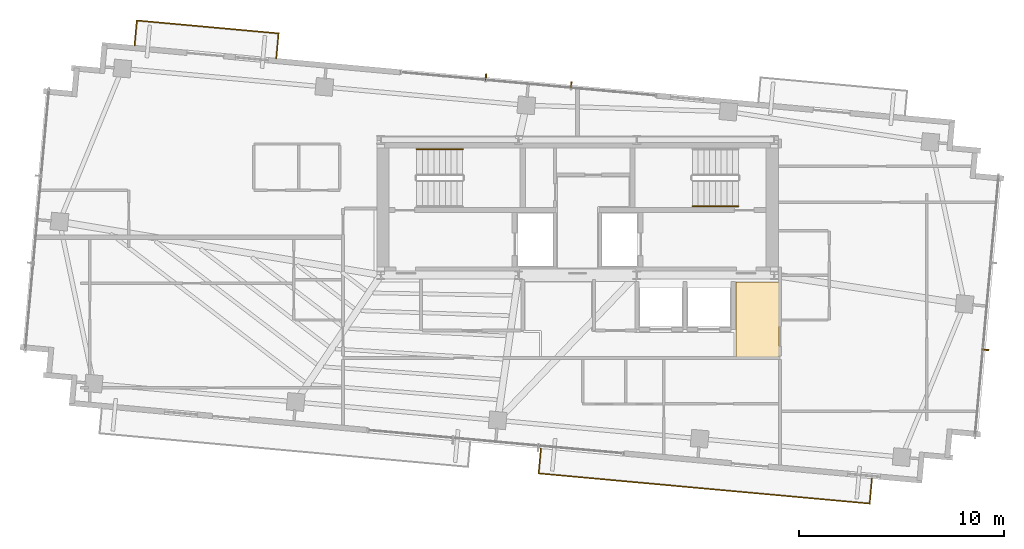
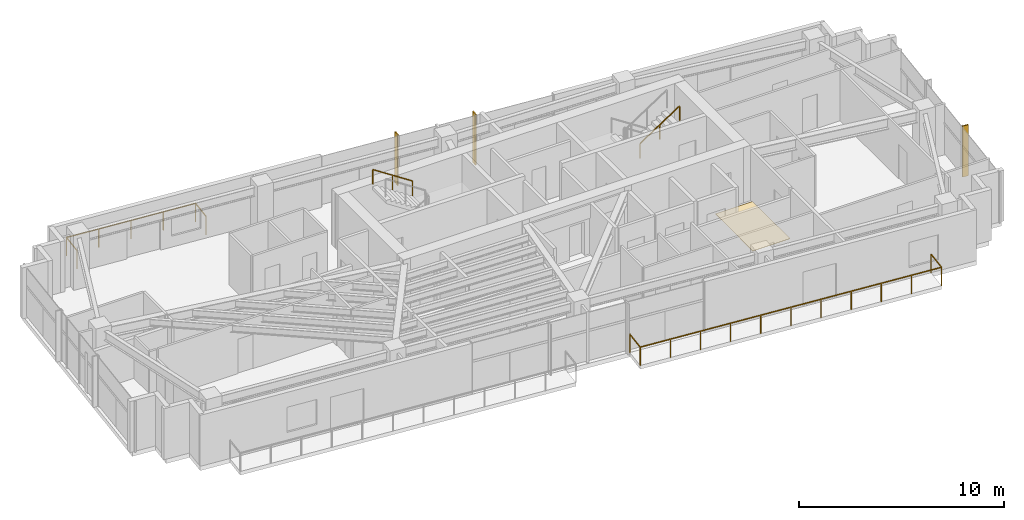
# One storey, part 21 of 22: 4 railings, 3 shading devices, 1 covering.
"""IFC4 building model written with IfcOpenShell, lengths in metres."""

from ifc_helpers import new_model, si_unit, direction, frame, origin, origin_2d, place, context, subcontext, project, spatial, polyline, rectangle, outline, extrude, source, transform, mapped, material, layer, layer_set, type_object, type_shapes, element, save


model = new_model("IFC4")

# Units and contexts
model_context = context("Model", 3, precision=1e-05, world=origin(), true_north=direction((0.0, 1.0)))
body_context = subcontext(model_context, "Body", "Model", "MODEL_VIEW")
ifc_project = project(units=[si_unit("LENGTHUNIT", "METRE"), si_unit("AREAUNIT", "SQUARE_METRE"), si_unit("VOLUMEUNIT", "CUBIC_METRE"), si_unit("PLANEANGLEUNIT", "RADIAN"), si_unit("MASSUNIT", "GRAM", prefix="KILO")], contexts=[model_context])

# Site, building, storey
site_placement = place(None, origin())
site = spatial("IfcSite", under=ifc_project, at=site_placement, CompositionType="ELEMENT")
building_placement = place(site_placement, origin())
building = spatial("IfcBuilding", under=site, at=building_placement, Name="Astriad Promenade Condominiums", CompositionType="ELEMENT")
storey_placement = place(building_placement, frame((0.0, 0.0, 252.89990234375)))
storey = spatial("IfcBuildingStorey", under=building, at=storey_placement, Name="L73", CompositionType="ELEMENT", Elevation=252.89990234375)

# Covering
ifc_material_1 = material(Name="Polished Lakefront Terrazzo Flooring")
ifc_layer = layer(ifc_material_1, 0.02001953125)
ifc_layer_set = layer_set([ifc_layer], Name="Polished Lakefront Terrazzo Flooring")
covering_type = type_object("IfcCoveringType", Name="COV-FLOR-TERRAZZO-20", PredefinedType="FLOORING", material=ifc_layer_set)
covering_placement = place(storey_placement, origin())
element("IfcCovering", 1, at=covering_placement, inside=storey, type_object=covering_type, Name="FLR-L73-COR-2", PredefinedType="FLOORING", context=body_context, shape_type="SweptSolid", body=[
    extrude(outline(polyline([(43.72998046875, 14.62353515625), (43.73095703125, 14.62451171875), (43.7333984375, 14.627685546875), (43.7353515625, 14.631103515625), (43.737060546875, 14.634765625), (43.73828125, 14.638427734375), (43.7392578125, 14.64208984375), (43.73974609375, 14.64599609375), (43.739990234375, 14.64990234375), (43.739990234375, 17.06005859375), (45.840087890625, 17.06005859375), (45.840087890625, 13.39990234375), (43.72998046875, 13.39990234375), (43.72998046875, 14.62353515625)])), origin(), (0.0, 0.0, 1.0), 0.02001953125),
])

# Shading devices
ifc_material_2 = material(Name="Anodised aluminium 6063-T6 Black Fin", Category="aluminium")
shading_device_type = type_object("IfcShadingDeviceType", Name="FIN-BLACK-260", PredefinedType="USERDEFINED", material=ifc_material_2)
shared_shape_1 = source(origin(), body_context, "Body", "SweptSolid", [
    extrude(rectangle(XDim=0.06494140625, YDim=0.320068359375, at=origin_2d()), origin(), (0.0, 0.0, 1.0), 3.0400390625),
])
type_shapes(shading_device_type, [shared_shape_1])
for number, where, z_axis, x_axis, name in (
    (2, (31.526123046875, 27.062744140625, 0.0), (0.0, 0.0, 1.0), (0.995884398616, -0.090632580198, 0.0), "CW-L73-N-FIN-01"),
    (3, (35.68896484375, 26.683837890625, 0.0), (0.0, 0.0, 1.0), (0.995884398616, -0.090632580198, 0.0), "CW-L73-N-FIN-02"),
    (4, (55.920166015625, 13.753662109375, 0.0), (0.0, 0.0, 1.0), (-0.090632580198, -0.995884398616, 0.0), "CW-L73-E-FIN-02"),
):
    element("IfcShadingDevice", number, at=place(storey_placement, frame(where, z_axis=z_axis, x_axis=x_axis)), inside=storey, type_object=shading_device_type, Name=name, ObjectType="FIN", PredefinedType="USERDEFINED", context=body_context, shape_type="MappedRepresentation", body=[
        mapped(shared_shape_1, transform((0.0, 0.0, 0.0), scale=1.0)),
    ])

# Railings
ifc_material_3 = material(Name="Laminated Glass and Stainless Steel Balustrade", Category="steel")
railing_type_1 = type_object("IfcRailingType", Name="GRD-BALC-1120", PredefinedType="BALUSTRADE", material=ifc_material_3)
shared_shape_2 = source(origin(), body_context, "Body", "SweptSolid", [
    extrude(rectangle(XDim=0.048095703125, YDim=0.048095703125, at=origin_2d()), frame((0.0, 0.0, 1.09619140625), z_axis=(-0.090643994769, -0.995883359743, 0.0), x_axis=(0.995883359743, -0.090643994769, 0.0)), (0.0, 0.0, 1.0), 1.22021484375),
    extrude(rectangle(XDim=0.048095703125, YDim=0.048095703125, at=origin_2d()), frame((-0.110595703125, -1.215087890625, 1.09619140625), z_axis=(0.995885555502, -0.09061986726, 0.0), x_axis=(0.09061986726, 0.995885555502, 0.0)), (0.0, 0.0, 1.0), 16.223876953125),
    extrude(rectangle(XDim=0.048095703125, YDim=0.048095703125, at=origin_2d()), frame((16.046630859375, -2.685302734375, 1.09619140625), z_axis=(0.09066206129, 0.995881715186, 0.0), x_axis=(-0.995881715186, 0.09066206129, 0.0)), (0.0, 0.0, 1.0), 1.219970703125),
    extrude(rectangle(XDim=0.0419921875, YDim=0.0419921875, at=origin_2d()), origin(), (0.0, 0.0, 1.0), 1.072021484375),
    extrude(rectangle(XDim=0.0419921875, YDim=0.0419921875, at=origin_2d()), frame((-0.110595703125, -1.215087890625, 0.0)), (0.0, 0.0, 1.0), 1.072021484375),
    extrude(rectangle(XDim=0.0419921875, YDim=0.0419921875, at=origin_2d()), frame((1.505126953125, -1.362060546875, 0.0)), (0.0, 0.0, 1.0), 1.072021484375),
    extrude(rectangle(XDim=0.0419921875, YDim=0.0419921875, at=origin_2d()), frame((3.120849609375, -1.509033203125, 0.0)), (0.0, 0.0, 1.0), 1.072021484375),
    extrude(rectangle(XDim=0.0419921875, YDim=0.0419921875, at=origin_2d()), frame((4.736572265625, -1.65625, 0.0)), (0.0, 0.0, 1.0), 1.072021484375),
    extrude(rectangle(XDim=0.0419921875, YDim=0.0419921875, at=origin_2d()), frame((6.352294921875, -1.80322265625, 0.0)), (0.0, 0.0, 1.0), 1.072021484375),
    extrude(rectangle(XDim=0.0419921875, YDim=0.0419921875, at=origin_2d()), frame((7.968017578125, -1.9501953125, 0.0)), (0.0, 0.0, 1.0), 1.072021484375),
    extrude(rectangle(XDim=0.0419921875, YDim=0.0419921875, at=origin_2d()), frame((9.583740234375, -2.09716796875, 0.0)), (0.0, 0.0, 1.0), 1.072021484375),
    extrude(rectangle(XDim=0.0419921875, YDim=0.0419921875, at=origin_2d()), frame((11.199462890625, -2.244140625, 0.0)), (0.0, 0.0, 1.0), 1.072021484375),
    extrude(rectangle(XDim=0.0419921875, YDim=0.0419921875, at=origin_2d()), frame((12.815185546875, -2.391357421875, 0.0)), (0.0, 0.0, 1.0), 1.072021484375),
    extrude(rectangle(XDim=0.0419921875, YDim=0.0419921875, at=origin_2d()), frame((14.430908203125, -2.538330078125, 0.0)), (0.0, 0.0, 1.0), 1.072021484375),
    extrude(rectangle(XDim=0.0419921875, YDim=0.0419921875, at=origin_2d()), frame((16.046630859375, -2.685302734375, 0.0)), (0.0, 0.0, 1.0), 1.072021484375),
    extrude(rectangle(XDim=0.0419921875, YDim=0.0419921875, at=origin_2d()), frame((16.1572265625, -1.470458984375, 0.0)), (0.0, 0.0, 1.0), 1.072021484375),
])
railing_1_placement = place(storey_placement, frame((34.211181640625, 8.934814453125, 0.0)))
element("IfcRailing", 5, at=railing_1_placement, inside=storey, type_object=railing_type_1, Name="GRD-BALC-L73-SE", PredefinedType="BALUSTRADE", context=body_context, shape_type="MappedRepresentation", body=[
    mapped(shared_shape_2, transform((0.0, 0.0, 0.0), scale=1.0)),
])
shared_shape_3 = source(origin(), body_context, "Body", "SweptSolid", [
    extrude(rectangle(XDim=0.048095703125, YDim=0.048095703125, at=origin_2d()), frame((0.0, 0.0, 1.09619140625), z_axis=(0.09066206129, 0.995881715186, 0.0), x_axis=(-0.995881715186, 0.09066206129, 0.0)), (0.0, 0.0, 1.0), 1.219970703125),
    extrude(rectangle(XDim=0.048095703125, YDim=0.048095703125, at=origin_2d()), frame((0.110595703125, 1.21484375, 1.09619140625), z_axis=(-0.995884271827, 0.090633973359, 0.0), x_axis=(-0.090633973359, -0.995884271827, 0.0)), (0.0, 0.0, 1.0), 6.947021484375),
    extrude(rectangle(XDim=0.048095703125, YDim=0.048095703125, at=origin_2d()), frame((-6.807861328125, 1.844482421875, 1.09619140625), z_axis=(-0.09066206129, -0.995881715186, 0.0), x_axis=(0.995881715186, -0.09066206129, 0.0)), (0.0, 0.0, 1.0), 1.219970703125),
    extrude(rectangle(XDim=0.0419921875, YDim=0.0419921875, at=origin_2d()), origin(), (0.0, 0.0, 1.0), 1.072021484375),
    extrude(rectangle(XDim=0.0419921875, YDim=0.0419921875, at=origin_2d()), frame((0.110595703125, 1.21484375, 0.0)), (0.0, 0.0, 1.0), 1.072021484375),
    extrude(rectangle(XDim=0.0419921875, YDim=0.0419921875, at=origin_2d()), frame((-1.619140625, 1.372314453125, 0.0)), (0.0, 0.0, 1.0), 1.072021484375),
    extrude(rectangle(XDim=0.0419921875, YDim=0.0419921875, at=origin_2d()), frame((-3.3486328125, 1.52978515625, 0.0)), (0.0, 0.0, 1.0), 1.072021484375),
    extrude(rectangle(XDim=0.0419921875, YDim=0.0419921875, at=origin_2d()), frame((-5.078125, 1.68701171875, 0.0)), (0.0, 0.0, 1.0), 1.072021484375),
    extrude(rectangle(XDim=0.0419921875, YDim=0.0419921875, at=origin_2d()), frame((-6.807861328125, 1.844482421875, 0.0)), (0.0, 0.0, 1.0), 1.072021484375),
    extrude(rectangle(XDim=0.0419921875, YDim=0.0419921875, at=origin_2d()), frame((-6.91845703125, 0.629638671875, 0.0)), (0.0, 0.0, 1.0), 1.072021484375),
])
type_shapes(railing_type_1, [shared_shape_2, shared_shape_3])
railing_2_placement = place(storey_placement, frame((21.297607421875, 27.983642578125, 0.0)))
element("IfcRailing", 6, at=railing_2_placement, inside=storey, type_object=railing_type_1, Name="GRD-BALC-L73-NW", PredefinedType="BALUSTRADE", context=body_context, shape_type="MappedRepresentation", body=[
    mapped(shared_shape_3, transform((0.0, 0.0, 0.0), scale=1.0)),
])
ifc_material_4 = material(Name="Brushed Stainless Steel Handrail", Category="steel")
railing_type_2 = type_object("IfcRailingType", Name="HRL-STAIR-920", PredefinedType="HANDRAIL", material=ifc_material_4)
shared_shape_4 = source(origin(), body_context, "Body", "SweptSolid", [
    extrude(rectangle(XDim=0.048095703125, YDim=0.048095703125, at=origin_2d()), frame((0.0, 0.0, 0.8759765625), z_axis=(0.836636935527, 0.0, 0.547757827979), x_axis=(0.0, 1.0, 0.0)), (0.0, 0.0, 1.0), 2.677490234375),
    extrude(rectangle(XDim=0.0419921875, YDim=0.0419921875, at=origin_2d()), origin(), (0.0, 0.0, 1.0), 0.851806640625),
    extrude(rectangle(XDim=0.0419921875, YDim=0.0419921875, at=origin_2d()), frame((1.1201171875, 0.0, 0.7333984375)), (0.0, 0.0, 1.0), 0.851806640625),
    extrude(rectangle(XDim=0.0419921875, YDim=0.0419921875, at=origin_2d()), frame((2.239990234375, 0.0, 1.466552734375)), (0.0, 0.0, 1.0), 0.851806640625),
])
railing_3_placement = place(storey_placement, frame((41.610107421875, 20.75, 1.83349609375)))
element("IfcRailing", 7, at=railing_3_placement, inside=storey, type_object=railing_type_2, Name="L73 ST-2 stair handrail 2", PredefinedType="HANDRAIL", context=body_context, shape_type="MappedRepresentation", body=[
    mapped(shared_shape_4, transform((0.0, 0.0, 0.0), scale=1.0)),
])
shared_shape_5 = source(origin(), body_context, "Body", "SweptSolid", [
    extrude(rectangle(XDim=0.048095703125, YDim=0.048095703125, at=origin_2d()), frame((0.0, 0.0, 0.8759765625), z_axis=(-0.836636935527, 0.0, 0.547757827979), x_axis=(0.0, -1.0, 0.0)), (0.0, 0.0, 1.0), 2.677490234375),
    extrude(rectangle(XDim=0.0419921875, YDim=0.0419921875, at=origin_2d()), origin(), (0.0, 0.0, 1.0), 0.851806640625),
    extrude(rectangle(XDim=0.0419921875, YDim=0.0419921875, at=origin_2d()), frame((-1.1201171875, 0.0, 0.7333984375)), (0.0, 0.0, 1.0), 0.851806640625),
    extrude(rectangle(XDim=0.0419921875, YDim=0.0419921875, at=origin_2d()), frame((-2.239990234375, 0.0, 1.466552734375)), (0.0, 0.0, 1.0), 0.851806640625),
])
type_shapes(railing_type_2, [shared_shape_4, shared_shape_5])
railing_4_placement = place(storey_placement, frame((30.389892578125, 23.550048828125, 1.83349609375)))
element("IfcRailing", 8, at=railing_4_placement, inside=storey, type_object=railing_type_2, Name="L73 ST-1 stair handrail 2", PredefinedType="HANDRAIL", context=body_context, shape_type="MappedRepresentation", body=[
    mapped(shared_shape_5, transform((0.0, 0.0, 0.0), scale=1.0)),
])

save(model, "model.ifc")
